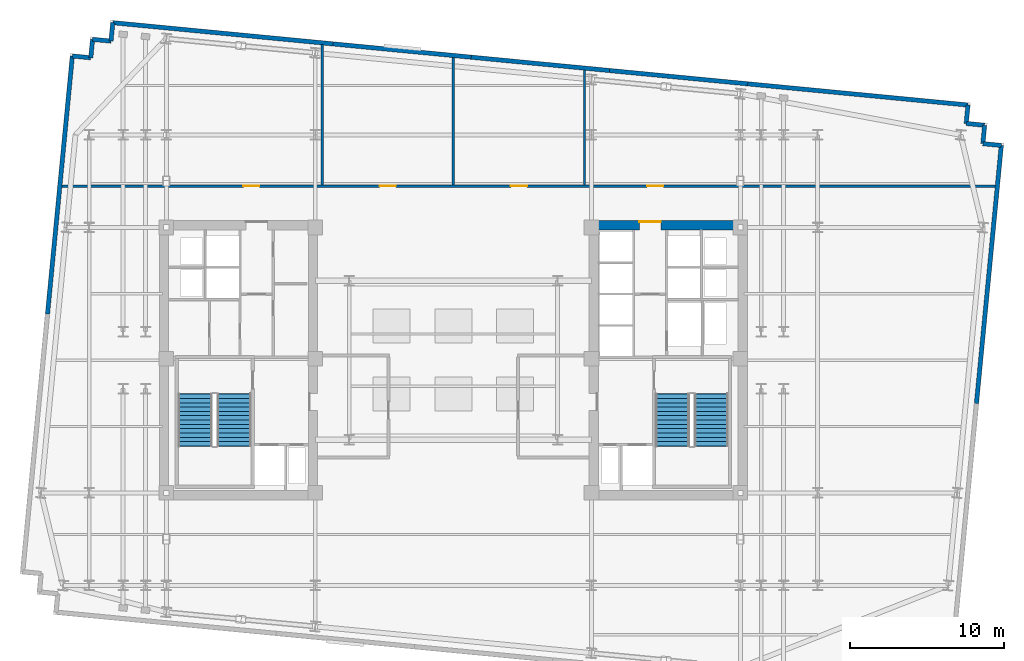
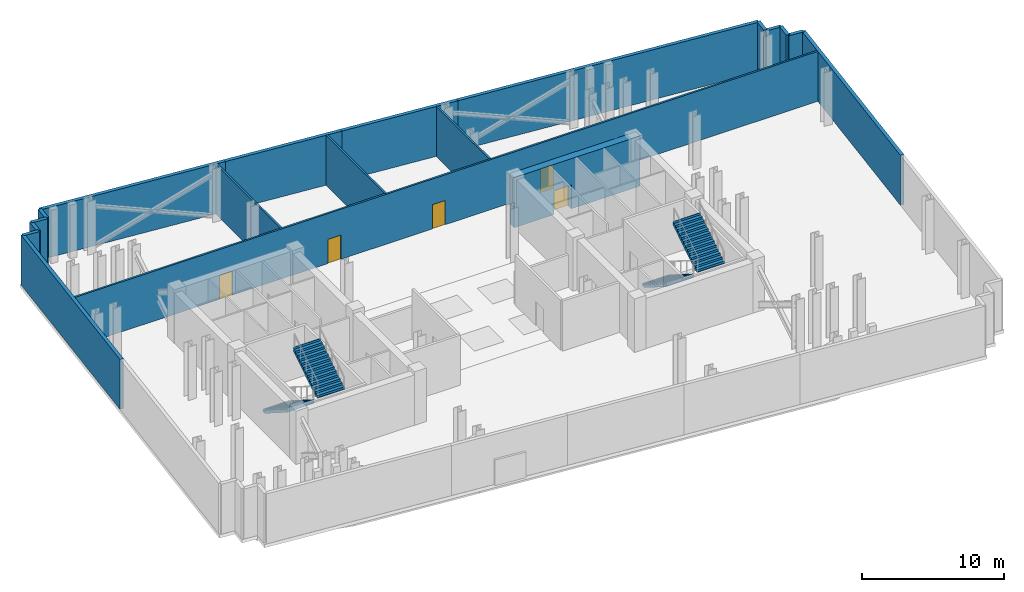
# One storey, part 6 of 8: 20 walls, 5 doors, 4 stair flights, 5 openings, 2 elements without a shape of their own.
"""IFC4 building model written with IfcOpenShell, lengths in metres."""

from ifc_helpers import new_model, si_unit, direction, frame, frame_2d, origin, place, context, subcontext, project, spatial, polyline, rectangle, outline, extrude, material, layer, layer_set, type_object, element, fill, aggregate, save


model = new_model("IFC4")

# Units and contexts
model_context = context("Model", 3, precision=1e-05, world=origin(), true_north=direction((0.0, 1.0)))
body_context = subcontext(model_context, "Body", "Model", "MODEL_VIEW")
ifc_project = project(units=[si_unit("LENGTHUNIT", "METRE"), si_unit("AREAUNIT", "SQUARE_METRE"), si_unit("VOLUMEUNIT", "CUBIC_METRE"), si_unit("PLANEANGLEUNIT", "RADIAN"), si_unit("MASSUNIT", "GRAM", prefix="KILO")], contexts=[model_context])

# Site, building, storey
site_placement = place(None, origin())
site = spatial("IfcSite", under=ifc_project, at=site_placement, CompositionType="ELEMENT")
building_placement = place(site_placement, origin())
building = spatial("IfcBuilding", under=site, at=building_placement, Name="Velakula Bourse", CompositionType="ELEMENT")
storey_placement = place(building_placement, frame((0.0, 0.0, 194.89990234375)))
storey = spatial("IfcBuildingStorey", under=building, at=storey_placement, Name="L53", CompositionType="ELEMENT", Elevation=194.89990234375)

# Wall, opening, door
ifc_material_1 = material(Name="Concrete M70 (fck 70 MPa)", Category="concrete")
ifc_layer_1 = layer(ifc_material_1, 0.60009765625, Name="Concrete M70 (fck 70 MPa)", Category="concrete")
ifc_layer_set_1 = layer_set([ifc_layer_1], Name="Concrete M70 (fck 70 MPa)")
wall_type_1 = type_object("IfcWallType", Name="WL-CORE-600", PredefinedType="SHEAR", material=ifc_layer_set_1)
wall_1_placement = place(storey_placement, frame((8.800048828125, 8.75, 0.0), z_axis=(0.0, 0.0, 1.0), x_axis=(1.0, 0.0, 0.0)))
wall_1 = element("IfcWall", 1, at=wall_1_placement, inside=storey, type_object=wall_type_1, Name="L53 Core E Shear Wall N", PredefinedType="SHEAR", context=body_context, shape_type="SweptSolid", body=[
    extrude(rectangle(XDim=10.25, YDim=0.60009765625, at=frame_2d((5.125, 0.0))), origin(), (0.0, 0.0, 1.0), 4.320068359375),
])
opening_1_placement = place(wall_1_placement, frame((3.25, 0.0, 0.0)))
opening_1 = element("IfcOpeningElement", 2, at=opening_1_placement, cuts=wall_1, Name="Opening D-LLE", PredefinedType="OPENING", context=body_context, shape_type="SweptSolid", body=[
    extrude(rectangle(XDim=1.39990234375, YDim=2.050048828125, at=frame_2d((0.699951171875, 1.02490234375))), frame((0.0, 0.31005859375, 0.0), z_axis=(0.0, -1.0, 0.0), x_axis=(1.0, 0.0, 0.0)), (0.0, 0.0, 1.0), 0.6201171875),
])
ifc_material_2 = material(Name="Fire-rated hardwood flush architectural door", Category="wood")
door_type_1 = type_object("IfcDoorType", Name="DR-DBL-FD60-1400", OperationType="DOUBLE_DOOR_SINGLE_SWING", PredefinedType="DOOR", material=ifc_material_2)
door_1_placement = place(opening_1_placement, origin())
door_1 = element("IfcDoor", 3, at=door_1_placement, inside=storey, type_object=door_type_1, Name="L53 Core E Lift Lobby Corridor Double Door", OperationType="DOUBLE_DOOR_SINGLE_SWING", OverallHeight=2.050048828125, OverallWidth=1.39990234375, PredefinedType="DOOR", context=body_context, shape_type="SweptSolid", body=[
    extrude(rectangle(XDim=1.39990234375, YDim=2.050048828125, at=frame_2d((0.699951171875, 1.02490234375))), frame((0.0, 0.2451171875, 0.0), z_axis=(0.0, -1.0, 0.0), x_axis=(1.0, 0.0, 0.0)), (0.0, 0.0, 1.0), 0.050048828125),
])
fill(opening_1, door_1)

# Walls
ifc_material_3 = material(Name="Red kilned clay facing brick masonry", Category="masonry")
ifc_layer_2 = layer(ifc_material_3, 0.280029296875, Name="Red kilned clay facing brick masonry", Category="masonry")
ifc_layer_set_2 = layer_set([ifc_layer_2], Name="Red kilned clay facing brick masonry")
wall_type_2 = type_object("IfcWallType", Name="WL-EXT-BRK-280", PredefinedType="STANDARD", material=ifc_layer_set_2)
wall_2_placement = place(storey_placement, frame((-22.072509765625, 21.8701171875, 0.0), z_axis=(0.0, 0.0, 1.0), x_axis=(0.995395606285, -0.095851901334, 0.0)))
element("IfcWall", 4, at=wall_2_placement, inside=storey, type_object=wall_type_2, Name="L53 N Brick Spandrel Wall B1", PredefinedType="STANDARD", context=body_context, shape_type="SweptSolid", body=[
    extrude(rectangle(XDim=14.33984375, YDim=0.280029296875, at=frame_2d((7.169921875, 0.0))), origin(), (0.0, 0.0, 1.0), 4.300048828125),
])
wall_3_placement = place(storey_placement, frame((-7.798583984375, 20.49560546875, 0.0), z_axis=(0.0, 0.0, 1.0), x_axis=(0.995396794462, -0.09583956164, 0.0)))
element("IfcWall", 5, at=wall_3_placement, inside=storey, type_object=wall_type_2, Name="L53 N Brick Spandrel Wall B2", PredefinedType="STANDARD", context=body_context, shape_type="SweptSolid", body=[
    extrude(rectangle(XDim=9.0, YDim=0.280029296875, at=frame_2d((4.5, 0.0))), origin(), (0.0, 0.0, 1.0), 4.300048828125),
])
wall_4_placement = place(storey_placement, frame((1.159912109375, 19.633056640625, 0.0), z_axis=(0.0, 0.0, 1.0), x_axis=(0.995394455533, -0.09586385082, 0.0)))
element("IfcWall", 6, at=wall_4_placement, inside=storey, type_object=wall_type_2, Name="L53 N Brick Spandrel Wall B3", PredefinedType="STANDARD", context=body_context, shape_type="SweptSolid", body=[
    extrude(rectangle(XDim=9.000244140625, YDim=0.280029296875, at=frame_2d((4.5, 0.0))), origin(), (0.0, 0.0, 1.0), 4.300048828125),
])
wall_5_placement = place(storey_placement, frame((10.11865234375, 18.770263671875, 0.0), z_axis=(0.0, 0.0, 1.0), x_axis=(0.995396794462, -0.09583956164, 0.0)))
element("IfcWall", 7, at=wall_5_placement, inside=storey, type_object=wall_type_2, Name="L53 N Brick Spandrel Wall B4", PredefinedType="STANDARD", context=body_context, shape_type="SweptSolid", body=[
    extrude(rectangle(XDim=9.0, YDim=0.280029296875, at=frame_2d((4.5, 0.0))), origin(), (0.0, 0.0, 1.0), 4.300048828125),
])
wall_6_placement = place(storey_placement, frame((19.0771484375, 17.90771484375, 0.0), z_axis=(0.0, 0.0, 1.0), x_axis=(0.995395606285, -0.095851901334, 0.0)))
element("IfcWall", 8, at=wall_6_placement, inside=storey, type_object=wall_type_2, Name="L53 N Brick Spandrel Wall B5", PredefinedType="STANDARD", context=body_context, shape_type="SweptSolid", body=[
    extrude(rectangle(XDim=14.33984375, YDim=0.280029296875, at=frame_2d((7.169921875, 0.0))), origin(), (0.0, 0.0, 1.0), 4.300048828125),
])
wall_7_placement = place(storey_placement, frame((-26.30078125, 2.998291015625, 0.0), z_axis=(0.0, 0.0, 1.0), x_axis=(0.095837640115, 0.99539697947, 0.0)))
element("IfcWall", 9, at=wall_7_placement, inside=storey, type_object=wall_type_2, Name="L53 W Brick End Wall W2", PredefinedType="STANDARD", context=body_context, shape_type="SweptSolid", body=[
    extrude(rectangle(XDim=16.790283203125, YDim=0.280029296875, at=frame_2d((8.39501953125, 0.0))), origin(), (0.0, 0.0, 1.0), 4.300048828125),
])
wall_8_placement = place(storey_placement, frame((35.510009765625, 13.914306640625, 0.0), z_axis=(0.0, 0.0, 1.0), x_axis=(-0.095839027265, -0.995396845913, 0.0)))
element("IfcWall", 10, at=wall_8_placement, inside=storey, type_object=wall_type_2, Name="L53 E Brick End Wall W2", PredefinedType="STANDARD", context=body_context, shape_type="SweptSolid", body=[
    extrude(rectangle(XDim=16.7900390625, YDim=0.280029296875, at=frame_2d((8.39501953125, 0.0))), origin(), (0.0, 0.0, 1.0), 4.300048828125),
])
wall_9_placement = place(storey_placement, frame((35.510009765625, 13.914306640625, 0.0), z_axis=(0.0, 0.0, 1.0), x_axis=(-0.995397091755, 0.095836473879, 0.0)))
element("IfcWall", 11, at=wall_9_placement, inside=storey, type_object=wall_type_2, Name="L53 Serrated Corner Brick Wall NE-1", PredefinedType="STANDARD", context=body_context, shape_type="SweptSolid", body=[
    extrude(rectangle(XDim=1.199951171875, YDim=0.280029296875, at=frame_2d((0.60009765625, 0.0))), origin(), (0.0, 0.0, 1.0), 4.300048828125),
])
for number, where, z_axis, x_axis, name in (
    (12, (34.315673828125, 14.029296875, 0.0), (0.0, 0.0, 1.0), (0.095817067274, 0.995398960025, 0.0), "L53 Serrated Corner Brick Wall NE-2"),
    (13, (34.4306640625, 15.223876953125, 0.0), (0.0, 0.0, 1.0), (-0.995398960025, 0.095817067274, 0.0), "L53 Serrated Corner Brick Wall NE-3"),
):
    element("IfcWall", number, at=place(storey_placement, frame(where, z_axis=z_axis, x_axis=x_axis)), inside=storey, type_object=wall_type_2, Name=name, PredefinedType="STANDARD", context=body_context, shape_type="SweptSolid", body=[
        extrude(rectangle(XDim=1.2001953125, YDim=0.280029296875, at=frame_2d((0.60009765625, 0.0))), origin(), (0.0, 0.0, 1.0), 4.300048828125),
    ])
wall_10_placement = place(storey_placement, frame((33.236083984375, 15.3388671875, 0.0), z_axis=(0.0, 0.0, 1.0), x_axis=(0.095836473879, 0.995397091755, 0.0)))
element("IfcWall", 14, at=wall_10_placement, inside=storey, type_object=wall_type_2, Name="L53 Serrated Corner Brick Wall NE-4", PredefinedType="STANDARD", context=body_context, shape_type="SweptSolid", body=[
    extrude(rectangle(XDim=1.199951171875, YDim=0.280029296875, at=frame_2d((0.60009765625, 0.0))), origin(), (0.0, 0.0, 1.0), 4.300048828125),
])
for number, where, z_axis, x_axis, name in (
    (15, (-22.072509765625, 21.8701171875, 0.0), (0.0, 0.0, 1.0), (-0.095817067274, -0.995398960025, 0.0), "L53 Serrated Corner Brick Wall NW-1"),
    (16, (-22.1875, 20.675537109375, 0.0), (0.0, 0.0, 1.0), (-0.995398960025, 0.095817067274, 0.0), "L53 Serrated Corner Brick Wall NW-2"),
    (17, (-23.382080078125, 20.79052734375, 0.0), (0.0, 0.0, 1.0), (-0.095817067274, -0.995398960025, 0.0), "L53 Serrated Corner Brick Wall NW-3"),
    (18, (-23.4970703125, 19.595947265625, 0.0), (0.0, 0.0, 1.0), (-0.995379537303, 0.096018626938, 0.0), "L53 Serrated Corner Brick Wall NW-4"),
):
    element("IfcWall", number, at=place(storey_placement, frame(where, z_axis=z_axis, x_axis=x_axis)), inside=storey, type_object=wall_type_2, Name=name, PredefinedType="STANDARD", context=body_context, shape_type="SweptSolid", body=[
        extrude(rectangle(XDim=1.2001953125, YDim=0.280029296875, at=frame_2d((0.60009765625, 0.0))), origin(), (0.0, 0.0, 1.0), 4.300048828125),
    ])

# Wall, openings, doors
ifc_material_4 = material(Name="Autoclaved aerated concrete blockwork masonry", Category="masonry")
ifc_layer_3 = layer(ifc_material_4, 0.14990234375, Name="Autoclaved aerated concrete blockwork masonry", Category="masonry")
ifc_layer_set_3 = layer_set([ifc_layer_3], Name="Autoclaved aerated concrete blockwork masonry")
wall_type_3 = type_object("IfcWallType", Name="WL-SHAFT-150", PredefinedType="STANDARD", material=ifc_layer_set_3)
wall_11_placement = place(storey_placement, frame((-25.3828125, 11.280029296875, 0.0), z_axis=(0.0, 0.0, 1.0), x_axis=(1.0, 0.0, 0.0)))
wall_11 = element("IfcWall", 19, at=wall_11_placement, inside=storey, type_object=wall_type_3, Name="L53 Interior Partition WL-PLT-L53-NC", PredefinedType="STANDARD", context=body_context, shape_type="SweptSolid", body=[
    extrude(rectangle(XDim=60.5185546875, YDim=0.14990234375, at=frame_2d((30.25927734375, 0.0))), origin(), (0.0, 0.0, 1.0), 4.300048828125),
])
opening_2_placement = place(wall_11_placement, frame((11.767822265625, 0.0, 0.0)))
opening_2 = element("IfcOpeningElement", 20, at=opening_2_placement, cuts=wall_11, Name="Opening D-PL1", PredefinedType="OPENING", context=body_context, shape_type="SweptSolid", body=[
    extrude(rectangle(XDim=1.050048828125, YDim=2.080078125, at=frame_2d((0.52490234375, 1.0400390625))), frame((0.0, 0.0849609375, 0.0), z_axis=(0.0, -1.0, 0.0), x_axis=(1.0, 0.0, 0.0)), (0.0, 0.0, 1.0), 0.169921875),
])
opening_3_placement = place(wall_11_placement, frame((20.60791015625, 0.0, 0.0)))
opening_3 = element("IfcOpeningElement", 21, at=opening_3_placement, cuts=wall_11, Name="Opening D-PL1", PredefinedType="OPENING", context=body_context, shape_type="SweptSolid", body=[
    extrude(rectangle(XDim=1.050048828125, YDim=2.080078125, at=frame_2d((0.52490234375, 1.0400390625))), frame((0.0, 0.0849609375, 0.0), z_axis=(0.0, -1.0, 0.0), x_axis=(1.0, 0.0, 0.0)), (0.0, 0.0, 1.0), 0.169921875),
])
opening_4_placement = place(wall_11_placement, frame((29.10791015625, 0.0, 0.0)))
opening_4 = element("IfcOpeningElement", 22, at=opening_4_placement, cuts=wall_11, Name="Opening D-PL1", PredefinedType="OPENING", context=body_context, shape_type="SweptSolid", body=[
    extrude(rectangle(XDim=1.050048828125, YDim=2.080078125, at=frame_2d((0.52490234375, 1.0400390625))), frame((0.0, 0.0849609375, 0.0), z_axis=(0.0, -1.0, 0.0), x_axis=(1.0, 0.0, 0.0)), (0.0, 0.0, 1.0), 0.169921875),
])
opening_5_placement = place(wall_11_placement, frame((37.94775390625, 0.0, 0.0)))
opening_5 = element("IfcOpeningElement", 23, at=opening_5_placement, cuts=wall_11, Name="Opening D-PL1", PredefinedType="OPENING", context=body_context, shape_type="SweptSolid", body=[
    extrude(rectangle(XDim=1.050048828125, YDim=2.080078125, at=frame_2d((0.52490234375, 1.0400390625))), frame((0.0, 0.0849609375, 0.0), z_axis=(0.0, -1.0, 0.0), x_axis=(1.0, 0.0, 0.0)), (0.0, 0.0, 1.0), 0.169921875),
])
ifc_material_5 = material(Name="Galvanised painted hollow steel fire door", Category="steel")
door_type_2 = type_object("IfcDoorType", Name="DR-FD120-1050x2080", OperationType="NOTDEFINED", PredefinedType="DOOR", material=ifc_material_5)
door_2_placement = place(opening_2_placement, origin())
door_2 = element("IfcDoor", 24, at=door_2_placement, inside=storey, type_object=door_type_2, Name="L53 Plate Heat-Exchanger Chiller Plant Room Door", OperationType="SINGLE_SWING_LEFT", OverallHeight=2.080078125, OverallWidth=1.050048828125, PredefinedType="DOOR", context=body_context, shape_type="SweptSolid", body=[
    extrude(rectangle(XDim=1.050048828125, YDim=2.080078125, at=frame_2d((0.52490234375, 1.0400390625))), frame((0.0, 0.02490234375, 0.0), z_axis=(0.0, -1.0, 0.0), x_axis=(1.0, 0.0, 0.0)), (0.0, 0.0, 1.0), 0.050048828125),
])
fill(opening_2, door_2)
door_3_placement = place(opening_3_placement, origin())
door_3 = element("IfcDoor", 25, at=door_3_placement, inside=storey, type_object=door_type_2, Name="L53 Air Handling Unit Mechanical Room Door", OperationType="SINGLE_SWING_RIGHT", OverallHeight=2.080078125, OverallWidth=1.050048828125, PredefinedType="DOOR", context=body_context, shape_type="SweptSolid", body=[
    extrude(rectangle(XDim=1.050048828125, YDim=2.080078125, at=frame_2d((0.52490234375, 1.0400390625))), frame((0.0, 0.02490234375, 0.0), z_axis=(0.0, -1.0, 0.0), x_axis=(1.0, 0.0, 0.0)), (0.0, 0.0, 1.0), 0.050048828125),
])
fill(opening_3, door_3)
door_4_placement = place(opening_4_placement, origin())
door_4 = element("IfcDoor", 26, at=door_4_placement, inside=storey, type_object=door_type_2, Name="L53 High-Voltage Transformer Switchroom Door", OperationType="SINGLE_SWING_LEFT", OverallHeight=2.080078125, OverallWidth=1.050048828125, PredefinedType="DOOR", context=body_context, shape_type="SweptSolid", body=[
    extrude(rectangle(XDim=1.050048828125, YDim=2.080078125, at=frame_2d((0.52490234375, 1.0400390625))), frame((0.0, 0.02490234375, 0.0), z_axis=(0.0, -1.0, 0.0), x_axis=(1.0, 0.0, 0.0)), (0.0, 0.0, 1.0), 0.050048828125),
])
fill(opening_4, door_4)
door_5_placement = place(opening_5_placement, origin())
door_5 = element("IfcDoor", 27, at=door_5_placement, inside=storey, type_object=door_type_2, Name="L53 Fire Break-Tank and Booster Pump Plant Room Door", OperationType="SINGLE_SWING_RIGHT", OverallHeight=2.080078125, OverallWidth=1.050048828125, PredefinedType="DOOR", context=body_context, shape_type="SweptSolid", body=[
    extrude(rectangle(XDim=1.050048828125, YDim=2.080078125, at=frame_2d((0.52490234375, 1.0400390625))), frame((0.0, 0.02490234375, 0.0), z_axis=(0.0, -1.0, 0.0), x_axis=(1.0, 0.0, 0.0)), (0.0, 0.0, 1.0), 0.050048828125),
])
fill(opening_5, door_5)

# Walls
wall_12_placement = place(storey_placement, frame((-8.5, 11.35009765625, 0.0), z_axis=(0.0, 0.0, 1.0), x_axis=(0.0, 1.0, 0.0)))
element("IfcWall", 28, at=wall_12_placement, inside=storey, type_object=wall_type_3, Name="L53 Interior Partition WL-PLT-L53-DV-11", PredefinedType="STANDARD", context=body_context, shape_type="SweptSolid", body=[
    extrude(rectangle(XDim=9.092529296875, YDim=0.14990234375, at=frame_2d((4.54638671875, 0.0))), origin(), (0.0, 0.0, 1.0), 4.300048828125),
])
wall_13_placement = place(storey_placement, frame((0.0, 11.35009765625, 0.0), z_axis=(0.0, 0.0, 1.0), x_axis=(0.0, 1.0, 0.0)))
element("IfcWall", 29, at=wall_13_placement, inside=storey, type_object=wall_type_3, Name="L53 Interior Partition WL-PLT-L53-DV-20", PredefinedType="STANDARD", context=body_context, shape_type="SweptSolid", body=[
    extrude(rectangle(XDim=8.27392578125, YDim=0.14990234375, at=frame_2d((4.136962890625, 0.0))), origin(), (0.0, 0.0, 1.0), 4.300048828125),
])
wall_14_placement = place(storey_placement, frame((8.5, 11.35009765625, 0.0), z_axis=(0.0, 0.0, 1.0), x_axis=(0.0, 1.0, 0.0)))
element("IfcWall", 30, at=wall_14_placement, inside=storey, type_object=wall_type_3, Name="L53 Interior Partition WL-PLT-L53-DV-28", PredefinedType="STANDARD", context=body_context, shape_type="SweptSolid", body=[
    extrude(rectangle(XDim=7.45556640625, YDim=0.14990234375, at=frame_2d((3.727783203125, 0.0))), origin(), (0.0, 0.0, 1.0), 4.300048828125),
])

# Stair, stair flights
ifc_material_6 = material(Name="Concrete M45 (fck 45 MPa)", Category="concrete")
stair_type = type_object("IfcStairType", Name="STR-DOG-480", PredefinedType="HALF_TURN_STAIR", material=ifc_material_6)
stair_1_placement = place(storey_placement, origin())
stair_1 = element("IfcStair", 31, at=stair_1_placement, inside=storey, type_object=stair_type, Name="L53 West Core Exit Stair ST-W1", PredefinedType="HALF_TURN_STAIR")
ifc_layer_4 = layer(ifc_material_6, 0.199951171875, Name="Concrete M45 (fck 45 MPa)", Category="concrete")
ifc_layer_set_4 = layer_set([ifc_layer_4], Name="Concrete M45 (fck 45 MPa)")
stair_flight_type = type_object("IfcStairFlightType", Name="FLT-DOG-480", PredefinedType="STRAIGHT", material=ifc_layer_set_4)
stair_flight_1_placement = place(storey_placement, frame((-16.720947265625, -2.199951171875, 0.0), z_axis=(0.0, 0.0, 1.0), x_axis=(0.0, -1.0, 0.0)))
stair_flight_1 = element("IfcStairFlight", 32, at=stair_flight_1_placement, type_object=stair_flight_type, Name="ST-W1 flight 1", NumberOfRisers=13, NumberOfTreads=12, PredefinedType="STRAIGHT", RiserHeight=0.176923077, TreadLength=0.28, context=body_context, shape_type="SweptSolid", body=[
    extrude(outline(polyline([(-0.044921875, -0.0400390625), (-0.044921875, -0.036865234375), (-0.044921875, -0.033935546875), (-0.044921875, -0.03076171875), (-0.044921875, -0.027587890625), (-0.044921875, -0.024658203125), (-0.044921875, -0.021484375), (-0.044921875, -0.0185546875), (-0.044921875, -0.015380859375), (-0.044921875, -0.01220703125), (-0.044921875, -0.00927734375), (-0.044921875, -0.006103515625), (-0.044921875, -0.003173828125), (-0.044921875, 0.0), (0.0, 0.0), (0.0, 0.177001953125), (0.280029296875, 0.177001953125), (0.280029296875, 0.353759765625), (0.56005859375, 0.353759765625), (0.56005859375, 0.53076171875), (0.840087890625, 0.53076171875), (0.840087890625, 0.707763671875), (1.1201171875, 0.707763671875), (1.1201171875, 0.884521484375), (1.39990234375, 0.884521484375), (1.39990234375, 1.0615234375), (1.679931640625, 1.0615234375), (1.679931640625, 1.238525390625), (1.9599609375, 1.238525390625), (1.9599609375, 1.415283203125), (2.239990234375, 1.415283203125), (2.239990234375, 1.59228515625), (2.52001953125, 1.59228515625), (2.52001953125, 1.769287109375), (2.800048828125, 1.769287109375), (2.800048828125, 1.946044921875), (3.080078125, 1.946044921875), (3.080078125, 2.123046875), (3.360107421875, 2.123046875), (3.360107421875, 2.300048828125), (3.405029296875, 2.300048828125), (3.405029296875, 2.274658203125), (3.405029296875, 2.24951171875), (3.405029296875, 2.22412109375), (3.405029296875, 2.19873046875), (3.405029296875, 2.173583984375), (3.405029296875, 2.148193359375), (3.405029296875, 2.122802734375), (3.405029296875, 2.09765625), (3.405029296875, 2.072265625), (3.405029296875, 2.046875), (3.405029296875, 2.021728515625), (3.405029296875, 1.996337890625), (3.405029296875, 1.970947265625), (3.405029296875, 1.94580078125), (0.280517578125, -0.0400390625), (-0.044921875, -0.0400390625)])), frame((0.0, 1.09912109375, 0.0), z_axis=(0.0, -1.0, 0.0), x_axis=(1.0, 0.0, 0.0)), (0.0, 0.0, 1.0), 2.197998046875),
])
stair_flight_2_placement = place(storey_placement, frame((-14.198974609375, -5.56005859375, 2.300048828125), z_axis=(0.0, 0.0, 1.0), x_axis=(0.0, 1.0, 0.0)))
stair_flight_2 = element("IfcStairFlight", 33, at=stair_flight_2_placement, type_object=stair_flight_type, Name="ST-W1 flight 2", NumberOfRisers=13, NumberOfTreads=12, PredefinedType="STRAIGHT", RiserHeight=0.176923077, TreadLength=0.28, context=body_context, shape_type="SweptSolid", body=[
    extrude(outline(polyline([(-0.044921875, -0.0400390625), (-0.044921875, -0.036865234375), (-0.044921875, -0.033935546875), (-0.044921875, -0.03076171875), (-0.044921875, -0.027587890625), (-0.044921875, -0.024658203125), (-0.044921875, -0.021484375), (-0.044921875, -0.0185546875), (-0.044921875, -0.015380859375), (-0.044921875, -0.01220703125), (-0.044921875, -0.00927734375), (-0.044921875, -0.006103515625), (-0.044921875, -0.003173828125), (-0.044921875, 0.0), (0.0, 0.0), (0.0, 0.177001953125), (0.280029296875, 0.177001953125), (0.280029296875, 0.353759765625), (0.56005859375, 0.353759765625), (0.56005859375, 0.53076171875), (0.840087890625, 0.53076171875), (0.840087890625, 0.707763671875), (1.1201171875, 0.707763671875), (1.1201171875, 0.884521484375), (1.39990234375, 0.884521484375), (1.39990234375, 1.0615234375), (1.679931640625, 1.0615234375), (1.679931640625, 1.238525390625), (1.9599609375, 1.238525390625), (1.9599609375, 1.415283203125), (2.239990234375, 1.415283203125), (2.239990234375, 1.59228515625), (2.52001953125, 1.59228515625), (2.52001953125, 1.769287109375), (2.800048828125, 1.769287109375), (2.800048828125, 1.946044921875), (3.080078125, 1.946044921875), (3.080078125, 2.123046875), (3.360107421875, 2.123046875), (3.360107421875, 2.300048828125), (3.405029296875, 2.300048828125), (3.405029296875, 2.274658203125), (3.405029296875, 2.24951171875), (3.405029296875, 2.22412109375), (3.405029296875, 2.19873046875), (3.405029296875, 2.173583984375), (3.405029296875, 2.148193359375), (3.405029296875, 2.122802734375), (3.405029296875, 2.09765625), (3.405029296875, 2.072265625), (3.405029296875, 2.046875), (3.405029296875, 2.021728515625), (3.405029296875, 1.996337890625), (3.405029296875, 1.970947265625), (3.405029296875, 1.94580078125), (0.280517578125, -0.0400390625), (-0.044921875, -0.0400390625)])), frame((0.0, 1.09912109375, 0.0), z_axis=(0.0, -1.0, 0.0), x_axis=(1.0, 0.0, 0.0)), (0.0, 0.0, 1.0), 2.197998046875),
])
aggregate(stair_1, [stair_flight_1, stair_flight_2])

stair_2_placement = place(storey_placement, origin())
stair_2 = element("IfcStair", 34, at=stair_2_placement, inside=storey, type_object=stair_type, Name="L53 East Core Exit Stair ST-E1", PredefinedType="HALF_TURN_STAIR")
stair_flight_3_placement = place(storey_placement, frame((14.198974609375, -2.199951171875, 0.0), z_axis=(0.0, 0.0, 1.0), x_axis=(0.0, -1.0, 0.0)))
stair_flight_3 = element("IfcStairFlight", 35, at=stair_flight_3_placement, type_object=stair_flight_type, Name="ST-E1 flight 1", NumberOfRisers=13, NumberOfTreads=12, PredefinedType="STRAIGHT", RiserHeight=0.176923077, TreadLength=0.28, context=body_context, shape_type="SweptSolid", body=[
    extrude(outline(polyline([(-0.044921875, -0.0400390625), (-0.044921875, -0.036865234375), (-0.044921875, -0.033935546875), (-0.044921875, -0.03076171875), (-0.044921875, -0.027587890625), (-0.044921875, -0.024658203125), (-0.044921875, -0.021484375), (-0.044921875, -0.0185546875), (-0.044921875, -0.015380859375), (-0.044921875, -0.01220703125), (-0.044921875, -0.00927734375), (-0.044921875, -0.006103515625), (-0.044921875, -0.003173828125), (-0.044921875, 0.0), (0.0, 0.0), (0.0, 0.177001953125), (0.280029296875, 0.177001953125), (0.280029296875, 0.353759765625), (0.56005859375, 0.353759765625), (0.56005859375, 0.53076171875), (0.840087890625, 0.53076171875), (0.840087890625, 0.707763671875), (1.1201171875, 0.707763671875), (1.1201171875, 0.884521484375), (1.39990234375, 0.884521484375), (1.39990234375, 1.0615234375), (1.679931640625, 1.0615234375), (1.679931640625, 1.238525390625), (1.9599609375, 1.238525390625), (1.9599609375, 1.415283203125), (2.239990234375, 1.415283203125), (2.239990234375, 1.59228515625), (2.52001953125, 1.59228515625), (2.52001953125, 1.769287109375), (2.800048828125, 1.769287109375), (2.800048828125, 1.946044921875), (3.080078125, 1.946044921875), (3.080078125, 2.123046875), (3.360107421875, 2.123046875), (3.360107421875, 2.300048828125), (3.405029296875, 2.300048828125), (3.405029296875, 2.274658203125), (3.405029296875, 2.24951171875), (3.405029296875, 2.22412109375), (3.405029296875, 2.19873046875), (3.405029296875, 2.173583984375), (3.405029296875, 2.148193359375), (3.405029296875, 2.122802734375), (3.405029296875, 2.09765625), (3.405029296875, 2.072265625), (3.405029296875, 2.046875), (3.405029296875, 2.021728515625), (3.405029296875, 1.996337890625), (3.405029296875, 1.970947265625), (3.405029296875, 1.94580078125), (0.280517578125, -0.0400390625), (-0.044921875, -0.0400390625)])), frame((0.0, 1.09912109375, 0.0), z_axis=(0.0, -1.0, 0.0), x_axis=(1.0, 0.0, 0.0)), (0.0, 0.0, 1.0), 2.197998046875),
])
stair_flight_4_placement = place(storey_placement, frame((16.720947265625, -5.56005859375, 2.300048828125), z_axis=(0.0, 0.0, 1.0), x_axis=(0.0, 1.0, 0.0)))
stair_flight_4 = element("IfcStairFlight", 36, at=stair_flight_4_placement, type_object=stair_flight_type, Name="ST-E1 flight 2", NumberOfRisers=13, NumberOfTreads=12, PredefinedType="STRAIGHT", RiserHeight=0.176923077, TreadLength=0.28, context=body_context, shape_type="SweptSolid", body=[
    extrude(outline(polyline([(-0.044921875, -0.0400390625), (-0.044921875, -0.036865234375), (-0.044921875, -0.033935546875), (-0.044921875, -0.03076171875), (-0.044921875, -0.027587890625), (-0.044921875, -0.024658203125), (-0.044921875, -0.021484375), (-0.044921875, -0.0185546875), (-0.044921875, -0.015380859375), (-0.044921875, -0.01220703125), (-0.044921875, -0.00927734375), (-0.044921875, -0.006103515625), (-0.044921875, -0.003173828125), (-0.044921875, 0.0), (0.0, 0.0), (0.0, 0.177001953125), (0.280029296875, 0.177001953125), (0.280029296875, 0.353759765625), (0.56005859375, 0.353759765625), (0.56005859375, 0.53076171875), (0.840087890625, 0.53076171875), (0.840087890625, 0.707763671875), (1.1201171875, 0.707763671875), (1.1201171875, 0.884521484375), (1.39990234375, 0.884521484375), (1.39990234375, 1.0615234375), (1.679931640625, 1.0615234375), (1.679931640625, 1.238525390625), (1.9599609375, 1.238525390625), (1.9599609375, 1.415283203125), (2.239990234375, 1.415283203125), (2.239990234375, 1.59228515625), (2.52001953125, 1.59228515625), (2.52001953125, 1.769287109375), (2.800048828125, 1.769287109375), (2.800048828125, 1.946044921875), (3.080078125, 1.946044921875), (3.080078125, 2.123046875), (3.360107421875, 2.123046875), (3.360107421875, 2.300048828125), (3.405029296875, 2.300048828125), (3.405029296875, 2.274658203125), (3.405029296875, 2.24951171875), (3.405029296875, 2.22412109375), (3.405029296875, 2.19873046875), (3.405029296875, 2.173583984375), (3.405029296875, 2.148193359375), (3.405029296875, 2.122802734375), (3.405029296875, 2.09765625), (3.405029296875, 2.072265625), (3.405029296875, 2.046875), (3.405029296875, 2.021728515625), (3.405029296875, 1.996337890625), (3.405029296875, 1.970947265625), (3.405029296875, 1.94580078125), (0.280517578125, -0.0400390625), (-0.044921875, -0.0400390625)])), frame((0.0, 1.09912109375, 0.0), z_axis=(0.0, -1.0, 0.0), x_axis=(1.0, 0.0, 0.0)), (0.0, 0.0, 1.0), 2.197998046875),
])
aggregate(stair_2, [stair_flight_3, stair_flight_4])

save(model, "model.ifc")
